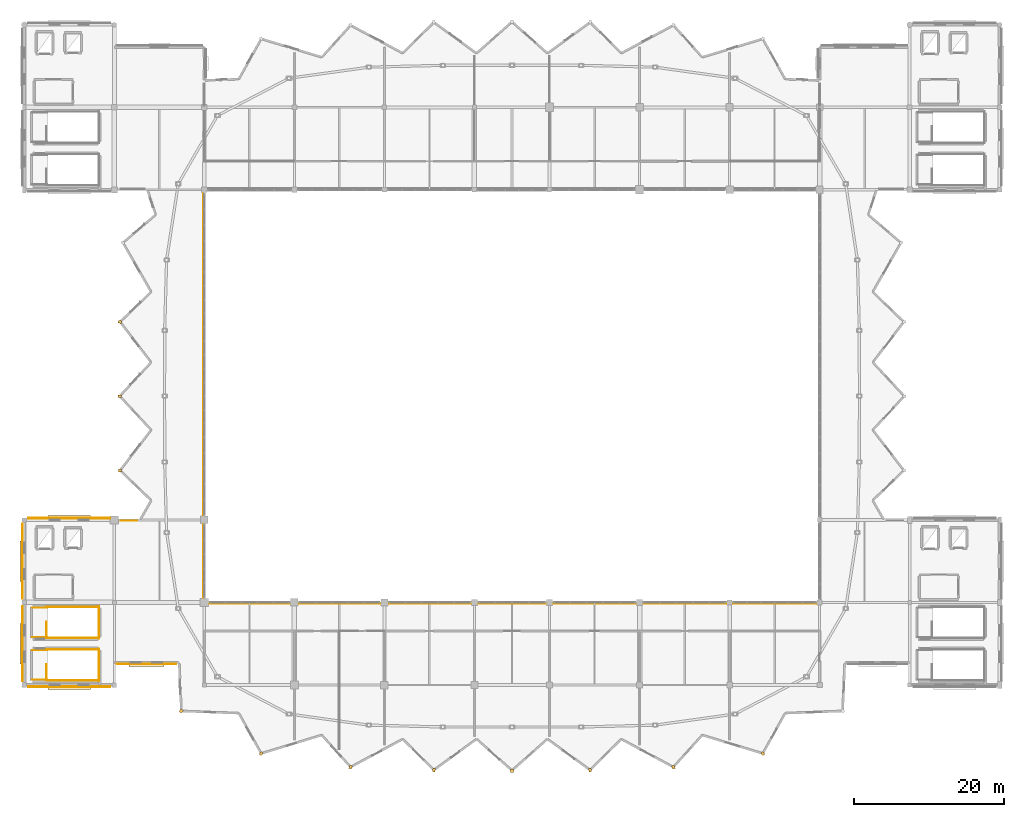
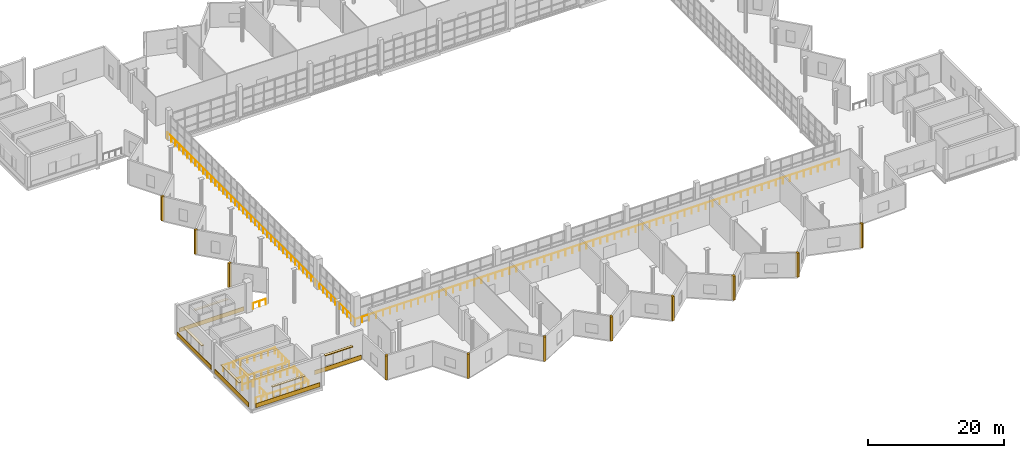
# One storey, part 46 of 49: 21 coverings, 15 railings.
"""IFC4 building model written with IfcOpenShell, lengths in metres."""

from ifc_helpers import new_model, si_unit, direction, frame, origin, origin_2d, place, context, subcontext, project, spatial, rectangle, circle, extrude, material, layer, layer_set, type_object, element, save


model = new_model("IFC4")

# Units and contexts
model_context = context("Model", 3, precision=1e-05, world=origin(), true_north=direction((0.0, 1.0)))
body_context = subcontext(model_context, "Body", "Model", "MODEL_VIEW")
ifc_project = project(units=[si_unit("LENGTHUNIT", "METRE"), si_unit("AREAUNIT", "SQUARE_METRE"), si_unit("VOLUMEUNIT", "CUBIC_METRE"), si_unit("PLANEANGLEUNIT", "RADIAN"), si_unit("MASSUNIT", "GRAM", prefix="KILO")], contexts=[model_context])

# Site, building, storey
site_placement = place(None, origin())
site = spatial("IfcSite", under=ifc_project, at=site_placement, CompositionType="ELEMENT")
building_placement = place(site_placement, origin())
building = spatial("IfcBuilding", under=site, at=building_placement, Name="Luwafu Chhajja Arena", CompositionType="ELEMENT")
storey_placement = place(building_placement, frame((0.0, 0.0, 24.300048828125)))
storey = spatial("IfcBuildingStorey", under=building, at=storey_placement, Name="L05", CompositionType="ELEMENT", Elevation=24.300048828125)

# Coverings
ifc_material_1 = material(Name="Red laterite sandstone cladding", Category="masonry")
ifc_layer = layer(ifc_material_1, 0.074951171875, Name="Red laterite sandstone cladding")
ifc_layer_set = layer_set([ifc_layer], Name="Red laterite sandstone cladding")
covering_type = type_object("IfcCoveringType", Name="Dressed Red-Laterite Sandstone Cladding", PredefinedType="CLADDING", material=ifc_layer_set)
for number, where, z_axis, x_axis, name in (
    (1, (46.750244140625, 59.396240234375, 0.0), (0.0, 0.0, 1.0), (-0.982532090849, 0.186093230539, 0.0), "L05 Pleated Bowl Sandstone Ridge Fin 16"),
    (2, (46.699951171875, 49.5, 0.0), (0.0, 0.0, 1.0), (-1.0, 0.0, 0.0), "L05 Pleated Bowl Sandstone Ridge Fin 17"),
    (3, (46.750244140625, 39.603759765625, 0.0), (0.0, 0.0, 1.0), (-0.982532090849, -0.186093230539, 0.0), "L05 Pleated Bowl Sandstone Ridge Fin 18"),
    (4, (54.91650390625, 7.52392578125, 0.0), (0.0, 0.0, 1.0), (-0.724206686844, -0.689582971607, 0.0), "L05 Pleated Bowl Sandstone Ridge Fin 21"),
    (5, (65.572509765625, 1.864013671875, 0.0), (0.0, 0.0, 1.0), (-0.574411104334, -0.818566969293, 0.0), "L05 Pleated Bowl Sandstone Ridge Fin 22"),
    (6, (77.489013671875, 0.051025390625, 0.0), (0.0, 0.0, 1.0), (-0.398902881432, -0.916993179465, 0.0), "L05 Pleated Bowl Sandstone Ridge Fin 23"),
    (7, (88.587890625, -0.3427734375, 0.0), (0.0, 0.0, 1.0), (-0.20448508974, -0.9788696788, 0.0), "L05 Pleated Bowl Sandstone Ridge Fin 24"),
    (8, (99.0, -0.39990234375, 0.0), (0.0, 0.0, 1.0), (0.0, -1.0, 0.0), "L05 Pleated Bowl Sandstone Ridge Fin 25"),
    (9, (109.412109375, -0.3427734375, 0.0), (0.0, 0.0, 1.0), (0.20448508974, -0.9788696788, 0.0), "L05 Pleated Bowl Sandstone Ridge Fin 26"),
    (10, (120.510986328125, 0.051025390625, 0.0), (0.0, 0.0, 1.0), (0.398902881432, -0.916993179465, 0.0), "L05 Pleated Bowl Sandstone Ridge Fin 27"),
    (11, (132.427490234375, 1.864013671875, 0.0), (0.0, 0.0, 1.0), (0.574411104334, -0.818566969293, 0.0), "L05 Pleated Bowl Sandstone Ridge Fin 28"),
):
    element("IfcCovering", number, at=place(storey_placement, frame(where, z_axis=z_axis, x_axis=x_axis)), inside=storey, type_object=covering_type, Name=name, PredefinedType="CLADDING", context=body_context, shape_type="SweptSolid", body=[
        extrude(rectangle(XDim=0.4599609375, YDim=0.360107421875, at=origin_2d()), origin(), (0.0, 0.0, 1.0), 4.340087890625),
    ])
covering_1_placement = place(storey_placement, frame((40.0, 10.76806640625, 0.0), z_axis=(0.0, 0.0, 1.0), x_axis=(1.0, 0.0, 0.0)))
element("IfcCovering", 12, at=covering_1_placement, inside=storey, type_object=covering_type, Name="L05 Red-Laterite Sandstone Plinth Cladding 126", PredefinedType="CLADDING", context=body_context, shape_type="SweptSolid", body=[
    extrude(rectangle(XDim=10.9599609375, YDim=0.0849609375, at=origin_2d()), origin(), (0.0, 0.0, 1.0), 0.760009765625),
])
covering_2_placement = place(storey_placement, frame((40.0, 10.639892578125, 2.93017578125), z_axis=(0.0, 0.0, 1.0), x_axis=(1.0, 0.0, 0.0)))
element("IfcCovering", 13, at=covering_2_placement, inside=storey, type_object=covering_type, Name="L05 Mughal Sandstone Window Chhajja Hood 0118", PredefinedType="CLADDING", context=body_context, shape_type="SweptSolid", body=[
    extrude(rectangle(XDim=5.703369140625, YDim=0.419921875, at=origin_2d()), origin(), (0.0, 0.0, 1.0), 0.139892578125),
])
covering_3_placement = place(storey_placement, frame((33.76806640625, 16.5, 0.0), z_axis=(0.0, 0.0, 1.0), x_axis=(0.0, 1.0, 0.0)))
element("IfcCovering", 14, at=covering_3_placement, inside=storey, type_object=covering_type, Name="L05 Red-Laterite Sandstone Plinth Cladding 127", PredefinedType="CLADDING", context=body_context, shape_type="SweptSolid", body=[
    extrude(rectangle(XDim=9.9599609375, YDim=0.0849609375, at=origin_2d()), origin(), (0.0, 0.0, 1.0), 0.760009765625),
])
covering_4_placement = place(storey_placement, frame((33.639892578125, 16.5, 2.93017578125), z_axis=(0.0, 0.0, 1.0), x_axis=(0.0, 1.0, 0.0)))
element("IfcCovering", 15, at=covering_4_placement, inside=storey, type_object=covering_type, Name="L05 Mughal Sandstone Window Chhajja Hood 0119", PredefinedType="CLADDING", context=body_context, shape_type="SweptSolid", body=[
    extrude(rectangle(XDim=5.3701171875, YDim=0.419921875, at=origin_2d()), origin(), (0.0, 0.0, 1.0), 0.139892578125),
])
covering_5_placement = place(storey_placement, frame((40.0, 33.23193359375, 0.0), z_axis=(0.0, 0.0, 1.0), x_axis=(1.0, 0.0, 0.0)))
element("IfcCovering", 16, at=covering_5_placement, inside=storey, type_object=covering_type, Name="L05 Red-Laterite Sandstone Plinth Cladding 128", PredefinedType="CLADDING", context=body_context, shape_type="SweptSolid", body=[
    extrude(rectangle(XDim=10.9599609375, YDim=0.0849609375, at=origin_2d()), origin(), (0.0, 0.0, 1.0), 0.760009765625),
])
covering_6_placement = place(storey_placement, frame((40.0, 33.360107421875, 2.93017578125), z_axis=(0.0, 0.0, 1.0), x_axis=(1.0, 0.0, 0.0)))
element("IfcCovering", 17, at=covering_6_placement, inside=storey, type_object=covering_type, Name="L05 Mughal Sandstone Window Chhajja Hood 0120", PredefinedType="CLADDING", context=body_context, shape_type="SweptSolid", body=[
    extrude(rectangle(XDim=5.703369140625, YDim=0.419921875, at=origin_2d()), origin(), (0.0, 0.0, 1.0), 0.139892578125),
])
covering_7_placement = place(storey_placement, frame((33.76806640625, 27.5, 0.0), z_axis=(0.0, 0.0, 1.0), x_axis=(0.0, 1.0, 0.0)))
element("IfcCovering", 18, at=covering_7_placement, inside=storey, type_object=covering_type, Name="L05 Red-Laterite Sandstone Plinth Cladding 129", PredefinedType="CLADDING", context=body_context, shape_type="SweptSolid", body=[
    extrude(rectangle(XDim=9.9599609375, YDim=0.0849609375, at=origin_2d()), origin(), (0.0, 0.0, 1.0), 0.760009765625),
])
covering_8_placement = place(storey_placement, frame((33.639892578125, 27.5, 2.93017578125), z_axis=(0.0, 0.0, 1.0), x_axis=(0.0, 1.0, 0.0)))
element("IfcCovering", 19, at=covering_8_placement, inside=storey, type_object=covering_type, Name="L05 Mughal Sandstone Window Chhajja Hood 0121", PredefinedType="CLADDING", context=body_context, shape_type="SweptSolid", body=[
    extrude(rectangle(XDim=5.3701171875, YDim=0.419921875, at=origin_2d()), origin(), (0.0, 0.0, 1.0), 0.139892578125),
])
covering_9_placement = place(storey_placement, frame((50.287109375, 13.80810546875, 0.0), z_axis=(0.0, 0.0, 1.0), x_axis=(1.0, 0.0, 0.0)))
element("IfcCovering", 20, at=covering_9_placement, inside=storey, type_object=covering_type, Name="L05 Red-Laterite Sandstone Plinth Cladding 134", PredefinedType="CLADDING", context=body_context, shape_type="SweptSolid", body=[
    extrude(rectangle(XDim=7.97412109375, YDim=0.0849609375, at=origin_2d()), origin(), (0.0, 0.0, 1.0), 0.760009765625),
])
covering_10_placement = place(storey_placement, frame((50.287109375, 13.679931640625, 2.93017578125), z_axis=(0.0, 0.0, 1.0), x_axis=(1.0, 0.0, 0.0)))
element("IfcCovering", 21, at=covering_10_placement, inside=storey, type_object=covering_type, Name="L05 Mughal Sandstone Window Chhajja Hood 0126", PredefinedType="CLADDING", context=body_context, shape_type="SweptSolid", body=[
    extrude(rectangle(XDim=4.7080078125, YDim=0.419921875, at=origin_2d()), origin(), (0.0, 0.0, 1.0), 0.139892578125),
])

# Railings
ifc_material_2 = material(Name="Stainless steel balustrade", Category="steel")
railing_type_1 = type_object("IfcRailingType", Name="Seating Bowl Sightline Barrier 1100", PredefinedType="BALUSTRADE", material=ifc_material_2)
railing_1_placement = place(storey_placement, frame((57.85009765625, 21.85009765625, 0.0)))
element("IfcRailing", 22, at=railing_1_placement, inside=storey, type_object=railing_type_1, Name="L05 Bowl Rim Guard 0044", PredefinedType="BALUSTRADE", context=body_context, shape_type="SweptSolid", body=[
    extrude(circle(Radius=0.02392578125, at=origin_2d()), frame((0.0, 0.0, 1.09619140625), z_axis=(1.0, 0.0, 0.0), x_axis=(0.0, 1.0, 0.0)), (0.0, 0.0, 1.0), 82.2998046875),
    extrude(circle(Radius=0.02099609375, at=origin_2d()), origin(), (0.0, 0.0, 1.0), 1.072021484375),
    extrude(circle(Radius=0.02099609375, at=origin_2d()), frame((1.19287109375, 0.0, 0.0)), (0.0, 0.0, 1.0), 1.072021484375),
    extrude(circle(Radius=0.02099609375, at=origin_2d()), frame((2.385498046875, 0.0, 0.0)), (0.0, 0.0, 1.0), 1.072021484375),
    extrude(circle(Radius=0.02099609375, at=origin_2d()), frame((3.578369140625, 0.0, 0.0)), (0.0, 0.0, 1.0), 1.072021484375),
    extrude(circle(Radius=0.02099609375, at=origin_2d()), frame((4.77099609375, 0.0, 0.0)), (0.0, 0.0, 1.0), 1.072021484375),
    extrude(circle(Radius=0.02099609375, at=origin_2d()), frame((5.9638671875, 0.0, 0.0)), (0.0, 0.0, 1.0), 1.072021484375),
    extrude(circle(Radius=0.02099609375, at=origin_2d()), frame((7.156494140625, 0.0, 0.0)), (0.0, 0.0, 1.0), 1.072021484375),
    extrude(circle(Radius=0.02099609375, at=origin_2d()), frame((8.349365234375, 0.0, 0.0)), (0.0, 0.0, 1.0), 1.072021484375),
    extrude(circle(Radius=0.02099609375, at=origin_2d()), frame((9.5419921875, 0.0, 0.0)), (0.0, 0.0, 1.0), 1.072021484375),
    extrude(circle(Radius=0.02099609375, at=origin_2d()), frame((10.73486328125, 0.0, 0.0)), (0.0, 0.0, 1.0), 1.072021484375),
    extrude(circle(Radius=0.02099609375, at=origin_2d()), frame((11.927490234375, 0.0, 0.0)), (0.0, 0.0, 1.0), 1.072021484375),
    extrude(circle(Radius=0.02099609375, at=origin_2d()), frame((13.120361328125, 0.0, 0.0)), (0.0, 0.0, 1.0), 1.072021484375),
    extrude(circle(Radius=0.02099609375, at=origin_2d()), frame((14.31298828125, 0.0, 0.0)), (0.0, 0.0, 1.0), 1.072021484375),
    extrude(circle(Radius=0.02099609375, at=origin_2d()), frame((15.505859375, 0.0, 0.0)), (0.0, 0.0, 1.0), 1.072021484375),
    extrude(circle(Radius=0.02099609375, at=origin_2d()), frame((16.698486328125, 0.0, 0.0)), (0.0, 0.0, 1.0), 1.072021484375),
    extrude(circle(Radius=0.02099609375, at=origin_2d()), frame((17.891357421875, 0.0, 0.0)), (0.0, 0.0, 1.0), 1.072021484375),
    extrude(circle(Radius=0.02099609375, at=origin_2d()), frame((19.083984375, 0.0, 0.0)), (0.0, 0.0, 1.0), 1.072021484375),
    extrude(circle(Radius=0.02099609375, at=origin_2d()), frame((20.27685546875, 0.0, 0.0)), (0.0, 0.0, 1.0), 1.072021484375),
    extrude(circle(Radius=0.02099609375, at=origin_2d()), frame((21.469482421875, 0.0, 0.0)), (0.0, 0.0, 1.0), 1.072021484375),
    extrude(circle(Radius=0.02099609375, at=origin_2d()), frame((22.662353515625, 0.0, 0.0)), (0.0, 0.0, 1.0), 1.072021484375),
    extrude(circle(Radius=0.02099609375, at=origin_2d()), frame((23.85498046875, 0.0, 0.0)), (0.0, 0.0, 1.0), 1.072021484375),
    extrude(circle(Radius=0.02099609375, at=origin_2d()), frame((25.0478515625, 0.0, 0.0)), (0.0, 0.0, 1.0), 1.072021484375),
    extrude(circle(Radius=0.02099609375, at=origin_2d()), frame((26.240478515625, 0.0, 0.0)), (0.0, 0.0, 1.0), 1.072021484375),
    extrude(circle(Radius=0.02099609375, at=origin_2d()), frame((27.433349609375, 0.0, 0.0)), (0.0, 0.0, 1.0), 1.072021484375),
    extrude(circle(Radius=0.02099609375, at=origin_2d()), frame((28.6259765625, 0.0, 0.0)), (0.0, 0.0, 1.0), 1.072021484375),
    extrude(circle(Radius=0.02099609375, at=origin_2d()), frame((29.81884765625, 0.0, 0.0)), (0.0, 0.0, 1.0), 1.072021484375),
    extrude(circle(Radius=0.02099609375, at=origin_2d()), frame((31.011474609375, 0.0, 0.0)), (0.0, 0.0, 1.0), 1.072021484375),
    extrude(circle(Radius=0.02099609375, at=origin_2d()), frame((32.204345703125, 0.0, 0.0)), (0.0, 0.0, 1.0), 1.072021484375),
    extrude(circle(Radius=0.02099609375, at=origin_2d()), frame((33.39697265625, 0.0, 0.0)), (0.0, 0.0, 1.0), 1.072021484375),
    extrude(circle(Radius=0.02099609375, at=origin_2d()), frame((34.58984375, 0.0, 0.0)), (0.0, 0.0, 1.0), 1.072021484375),
    extrude(circle(Radius=0.02099609375, at=origin_2d()), frame((35.782470703125, 0.0, 0.0)), (0.0, 0.0, 1.0), 1.072021484375),
    extrude(circle(Radius=0.02099609375, at=origin_2d()), frame((36.975341796875, 0.0, 0.0)), (0.0, 0.0, 1.0), 1.072021484375),
    extrude(circle(Radius=0.02099609375, at=origin_2d()), frame((38.16796875, 0.0, 0.0)), (0.0, 0.0, 1.0), 1.072021484375),
    extrude(circle(Radius=0.02099609375, at=origin_2d()), frame((39.36083984375, 0.0, 0.0)), (0.0, 0.0, 1.0), 1.072021484375),
    extrude(circle(Radius=0.02099609375, at=origin_2d()), frame((40.553466796875, 0.0, 0.0)), (0.0, 0.0, 1.0), 1.072021484375),
    extrude(circle(Radius=0.02099609375, at=origin_2d()), frame((41.746337890625, 0.0, 0.0)), (0.0, 0.0, 1.0), 1.072021484375),
    extrude(circle(Radius=0.02099609375, at=origin_2d()), frame((42.93896484375, 0.0, 0.0)), (0.0, 0.0, 1.0), 1.072021484375),
    extrude(circle(Radius=0.02099609375, at=origin_2d()), frame((44.1318359375, 0.0, 0.0)), (0.0, 0.0, 1.0), 1.072021484375),
    extrude(circle(Radius=0.02099609375, at=origin_2d()), frame((45.324462890625, 0.0, 0.0)), (0.0, 0.0, 1.0), 1.072021484375),
    extrude(circle(Radius=0.02099609375, at=origin_2d()), frame((46.517333984375, 0.0, 0.0)), (0.0, 0.0, 1.0), 1.072021484375),
    extrude(circle(Radius=0.02099609375, at=origin_2d()), frame((47.7099609375, 0.0, 0.0)), (0.0, 0.0, 1.0), 1.072021484375),
    extrude(circle(Radius=0.02099609375, at=origin_2d()), frame((48.90283203125, 0.0, 0.0)), (0.0, 0.0, 1.0), 1.072021484375),
    extrude(circle(Radius=0.02099609375, at=origin_2d()), frame((50.095458984375, 0.0, 0.0)), (0.0, 0.0, 1.0), 1.072021484375),
    extrude(circle(Radius=0.02099609375, at=origin_2d()), frame((51.288330078125, 0.0, 0.0)), (0.0, 0.0, 1.0), 1.072021484375),
    extrude(circle(Radius=0.02099609375, at=origin_2d()), frame((52.48095703125, 0.0, 0.0)), (0.0, 0.0, 1.0), 1.072021484375),
    extrude(circle(Radius=0.02099609375, at=origin_2d()), frame((53.673828125, 0.0, 0.0)), (0.0, 0.0, 1.0), 1.072021484375),
    extrude(circle(Radius=0.02099609375, at=origin_2d()), frame((54.866455078125, 0.0, 0.0)), (0.0, 0.0, 1.0), 1.072021484375),
    extrude(circle(Radius=0.02099609375, at=origin_2d()), frame((56.059326171875, 0.0, 0.0)), (0.0, 0.0, 1.0), 1.072021484375),
    extrude(circle(Radius=0.02099609375, at=origin_2d()), frame((57.251953125, 0.0, 0.0)), (0.0, 0.0, 1.0), 1.072021484375),
    extrude(circle(Radius=0.02099609375, at=origin_2d()), frame((58.44482421875, 0.0, 0.0)), (0.0, 0.0, 1.0), 1.072021484375),
    extrude(circle(Radius=0.02099609375, at=origin_2d()), frame((59.637451171875, 0.0, 0.0)), (0.0, 0.0, 1.0), 1.072021484375),
    extrude(circle(Radius=0.02099609375, at=origin_2d()), frame((60.830322265625, 0.0, 0.0)), (0.0, 0.0, 1.0), 1.072021484375),
    extrude(circle(Radius=0.02099609375, at=origin_2d()), frame((62.02294921875, 0.0, 0.0)), (0.0, 0.0, 1.0), 1.072021484375),
    extrude(circle(Radius=0.02099609375, at=origin_2d()), frame((63.2158203125, 0.0, 0.0)), (0.0, 0.0, 1.0), 1.072021484375),
    extrude(circle(Radius=0.02099609375, at=origin_2d()), frame((64.408447265625, 0.0, 0.0)), (0.0, 0.0, 1.0), 1.072021484375),
    extrude(circle(Radius=0.02099609375, at=origin_2d()), frame((65.601318359375, 0.0, 0.0)), (0.0, 0.0, 1.0), 1.072021484375),
    extrude(circle(Radius=0.02099609375, at=origin_2d()), frame((66.7939453125, 0.0, 0.0)), (0.0, 0.0, 1.0), 1.072021484375),
    extrude(circle(Radius=0.02099609375, at=origin_2d()), frame((67.98681640625, 0.0, 0.0)), (0.0, 0.0, 1.0), 1.072021484375),
    extrude(circle(Radius=0.02099609375, at=origin_2d()), frame((69.179443359375, 0.0, 0.0)), (0.0, 0.0, 1.0), 1.072021484375),
    extrude(circle(Radius=0.02099609375, at=origin_2d()), frame((70.372314453125, 0.0, 0.0)), (0.0, 0.0, 1.0), 1.072021484375),
    extrude(circle(Radius=0.02099609375, at=origin_2d()), frame((71.56494140625, 0.0, 0.0)), (0.0, 0.0, 1.0), 1.072021484375),
    extrude(circle(Radius=0.02099609375, at=origin_2d()), frame((72.7578125, 0.0, 0.0)), (0.0, 0.0, 1.0), 1.072021484375),
    extrude(circle(Radius=0.02099609375, at=origin_2d()), frame((73.950439453125, 0.0, 0.0)), (0.0, 0.0, 1.0), 1.072021484375),
    extrude(circle(Radius=0.02099609375, at=origin_2d()), frame((75.143310546875, 0.0, 0.0)), (0.0, 0.0, 1.0), 1.072021484375),
    extrude(circle(Radius=0.02099609375, at=origin_2d()), frame((76.3359375, 0.0, 0.0)), (0.0, 0.0, 1.0), 1.072021484375),
    extrude(circle(Radius=0.02099609375, at=origin_2d()), frame((77.52880859375, 0.0, 0.0)), (0.0, 0.0, 1.0), 1.072021484375),
    extrude(circle(Radius=0.02099609375, at=origin_2d()), frame((78.721435546875, 0.0, 0.0)), (0.0, 0.0, 1.0), 1.072021484375),
    extrude(circle(Radius=0.02099609375, at=origin_2d()), frame((79.914306640625, 0.0, 0.0)), (0.0, 0.0, 1.0), 1.072021484375),
    extrude(circle(Radius=0.02099609375, at=origin_2d()), frame((81.10693359375, 0.0, 0.0)), (0.0, 0.0, 1.0), 1.072021484375),
    extrude(circle(Radius=0.02099609375, at=origin_2d()), frame((82.2998046875, 0.0, 0.0)), (0.0, 0.0, 1.0), 1.072021484375),
])
railing_2_placement = place(storey_placement, frame((57.85009765625, 77.14990234375, 0.0)))
element("IfcRailing", 23, at=railing_2_placement, inside=storey, type_object=railing_type_1, Name="L05 Bowl Rim Guard 0047", PredefinedType="BALUSTRADE", context=body_context, shape_type="SweptSolid", body=[
    extrude(circle(Radius=0.02392578125, at=origin_2d()), frame((0.0, 0.0, 1.09619140625), z_axis=(0.0, -1.0, 0.0), x_axis=(1.0, 0.0, 0.0)), (0.0, 0.0, 1.0), 55.2998046875),
    extrude(circle(Radius=0.02099609375, at=origin_2d()), origin(), (0.0, 0.0, 1.0), 1.072021484375),
    extrude(circle(Radius=0.02099609375, at=origin_2d()), frame((0.0, -1.176513671875, 0.0)), (0.0, 0.0, 1.0), 1.072021484375),
    extrude(circle(Radius=0.02099609375, at=origin_2d()), frame((0.0, -2.353271484375, 0.0)), (0.0, 0.0, 1.0), 1.072021484375),
    extrude(circle(Radius=0.02099609375, at=origin_2d()), frame((0.0, -3.52978515625, 0.0)), (0.0, 0.0, 1.0), 1.072021484375),
    extrude(circle(Radius=0.02099609375, at=origin_2d()), frame((0.0, -4.706298828125, 0.0)), (0.0, 0.0, 1.0), 1.072021484375),
    extrude(circle(Radius=0.02099609375, at=origin_2d()), frame((0.0, -5.883056640625, 0.0)), (0.0, 0.0, 1.0), 1.072021484375),
    extrude(circle(Radius=0.02099609375, at=origin_2d()), frame((0.0, -7.0595703125, 0.0)), (0.0, 0.0, 1.0), 1.072021484375),
    extrude(circle(Radius=0.02099609375, at=origin_2d()), frame((0.0, -8.236083984375, 0.0)), (0.0, 0.0, 1.0), 1.072021484375),
    extrude(circle(Radius=0.02099609375, at=origin_2d()), frame((0.0, -9.412841796875, 0.0)), (0.0, 0.0, 1.0), 1.072021484375),
    extrude(circle(Radius=0.02099609375, at=origin_2d()), frame((0.0, -10.58935546875, 0.0)), (0.0, 0.0, 1.0), 1.072021484375),
    extrude(circle(Radius=0.02099609375, at=origin_2d()), frame((0.0, -11.765869140625, 0.0)), (0.0, 0.0, 1.0), 1.072021484375),
    extrude(circle(Radius=0.02099609375, at=origin_2d()), frame((0.0, -12.942626953125, 0.0)), (0.0, 0.0, 1.0), 1.072021484375),
    extrude(circle(Radius=0.02099609375, at=origin_2d()), frame((0.0, -14.119140625, 0.0)), (0.0, 0.0, 1.0), 1.072021484375),
    extrude(circle(Radius=0.02099609375, at=origin_2d()), frame((0.0, -15.295654296875, 0.0)), (0.0, 0.0, 1.0), 1.072021484375),
    extrude(circle(Radius=0.02099609375, at=origin_2d()), frame((0.0, -16.47216796875, 0.0)), (0.0, 0.0, 1.0), 1.072021484375),
    extrude(circle(Radius=0.02099609375, at=origin_2d()), frame((0.0, -17.64892578125, 0.0)), (0.0, 0.0, 1.0), 1.072021484375),
    extrude(circle(Radius=0.02099609375, at=origin_2d()), frame((0.0, -18.825439453125, 0.0)), (0.0, 0.0, 1.0), 1.072021484375),
    extrude(circle(Radius=0.02099609375, at=origin_2d()), frame((0.0, -20.001953125, 0.0)), (0.0, 0.0, 1.0), 1.072021484375),
    extrude(circle(Radius=0.02099609375, at=origin_2d()), frame((0.0, -21.1787109375, 0.0)), (0.0, 0.0, 1.0), 1.072021484375),
    extrude(circle(Radius=0.02099609375, at=origin_2d()), frame((0.0, -22.355224609375, 0.0)), (0.0, 0.0, 1.0), 1.072021484375),
    extrude(circle(Radius=0.02099609375, at=origin_2d()), frame((0.0, -23.53173828125, 0.0)), (0.0, 0.0, 1.0), 1.072021484375),
    extrude(circle(Radius=0.02099609375, at=origin_2d()), frame((0.0, -24.70849609375, 0.0)), (0.0, 0.0, 1.0), 1.072021484375),
    extrude(circle(Radius=0.02099609375, at=origin_2d()), frame((0.0, -25.885009765625, 0.0)), (0.0, 0.0, 1.0), 1.072021484375),
    extrude(circle(Radius=0.02099609375, at=origin_2d()), frame((0.0, -27.0615234375, 0.0)), (0.0, 0.0, 1.0), 1.072021484375),
    extrude(circle(Radius=0.02099609375, at=origin_2d()), frame((0.0, -28.23828125, 0.0)), (0.0, 0.0, 1.0), 1.072021484375),
    extrude(circle(Radius=0.02099609375, at=origin_2d()), frame((0.0, -29.414794921875, 0.0)), (0.0, 0.0, 1.0), 1.072021484375),
    extrude(circle(Radius=0.02099609375, at=origin_2d()), frame((0.0, -30.59130859375, 0.0)), (0.0, 0.0, 1.0), 1.072021484375),
    extrude(circle(Radius=0.02099609375, at=origin_2d()), frame((0.0, -31.76806640625, 0.0)), (0.0, 0.0, 1.0), 1.072021484375),
    extrude(circle(Radius=0.02099609375, at=origin_2d()), frame((0.0, -32.944580078125, 0.0)), (0.0, 0.0, 1.0), 1.072021484375),
    extrude(circle(Radius=0.02099609375, at=origin_2d()), frame((0.0, -34.12109375, 0.0)), (0.0, 0.0, 1.0), 1.072021484375),
    extrude(circle(Radius=0.02099609375, at=origin_2d()), frame((0.0, -35.2978515625, 0.0)), (0.0, 0.0, 1.0), 1.072021484375),
    extrude(circle(Radius=0.02099609375, at=origin_2d()), frame((0.0, -36.474365234375, 0.0)), (0.0, 0.0, 1.0), 1.072021484375),
    extrude(circle(Radius=0.02099609375, at=origin_2d()), frame((0.0, -37.65087890625, 0.0)), (0.0, 0.0, 1.0), 1.072021484375),
    extrude(circle(Radius=0.02099609375, at=origin_2d()), frame((0.0, -38.82763671875, 0.0)), (0.0, 0.0, 1.0), 1.072021484375),
    extrude(circle(Radius=0.02099609375, at=origin_2d()), frame((0.0, -40.004150390625, 0.0)), (0.0, 0.0, 1.0), 1.072021484375),
    extrude(circle(Radius=0.02099609375, at=origin_2d()), frame((0.0, -41.1806640625, 0.0)), (0.0, 0.0, 1.0), 1.072021484375),
    extrude(circle(Radius=0.02099609375, at=origin_2d()), frame((0.0, -42.357177734375, 0.0)), (0.0, 0.0, 1.0), 1.072021484375),
    extrude(circle(Radius=0.02099609375, at=origin_2d()), frame((0.0, -43.533935546875, 0.0)), (0.0, 0.0, 1.0), 1.072021484375),
    extrude(circle(Radius=0.02099609375, at=origin_2d()), frame((0.0, -44.71044921875, 0.0)), (0.0, 0.0, 1.0), 1.072021484375),
    extrude(circle(Radius=0.02099609375, at=origin_2d()), frame((0.0, -45.886962890625, 0.0)), (0.0, 0.0, 1.0), 1.072021484375),
    extrude(circle(Radius=0.02099609375, at=origin_2d()), frame((0.0, -47.063720703125, 0.0)), (0.0, 0.0, 1.0), 1.072021484375),
    extrude(circle(Radius=0.02099609375, at=origin_2d()), frame((0.0, -48.240234375, 0.0)), (0.0, 0.0, 1.0), 1.072021484375),
    extrude(circle(Radius=0.02099609375, at=origin_2d()), frame((0.0, -49.416748046875, 0.0)), (0.0, 0.0, 1.0), 1.072021484375),
    extrude(circle(Radius=0.02099609375, at=origin_2d()), frame((0.0, -50.593505859375, 0.0)), (0.0, 0.0, 1.0), 1.072021484375),
    extrude(circle(Radius=0.02099609375, at=origin_2d()), frame((0.0, -51.77001953125, 0.0)), (0.0, 0.0, 1.0), 1.072021484375),
    extrude(circle(Radius=0.02099609375, at=origin_2d()), frame((0.0, -52.946533203125, 0.0)), (0.0, 0.0, 1.0), 1.072021484375),
    extrude(circle(Radius=0.02099609375, at=origin_2d()), frame((0.0, -54.123291015625, 0.0)), (0.0, 0.0, 1.0), 1.072021484375),
    extrude(circle(Radius=0.02099609375, at=origin_2d()), frame((0.0, -55.2998046875, 0.0)), (0.0, 0.0, 1.0), 1.072021484375),
])
railing_type_2 = type_object("IfcRailingType", Name="Stair and Terrace Guard Balustrade 1100", PredefinedType="BALUSTRADE", material=ifc_material_2)
railing_3_placement = place(storey_placement, frame((36.969970703125, 11.64990234375, 0.0)))
element("IfcRailing", 24, at=railing_3_placement, inside=storey, type_object=railing_type_2, Name="L05 ST-01 top well guard 1", PredefinedType="BALUSTRADE", context=body_context, shape_type="SweptSolid", body=[
    extrude(circle(Radius=0.02392578125, at=origin_2d()), frame((0.0, 0.0, 1.076171875), z_axis=(0.0, 1.0, 0.0), x_axis=(-1.0, 0.0, 0.0)), (0.0, 0.0, 1.0), 2.1201171875),
    extrude(circle(Radius=0.02099609375, at=origin_2d()), origin(), (0.0, 0.0, 1.0), 1.052001953125),
    extrude(circle(Radius=0.02099609375, at=origin_2d()), frame((0.0, 1.06005859375, 0.0)), (0.0, 0.0, 1.0), 1.052001953125),
    extrude(circle(Radius=0.02099609375, at=origin_2d()), frame((0.0, 2.1201171875, 0.0)), (0.0, 0.0, 1.0), 1.052001953125),
])
for number, where, name in (
    (25, (36.919921875, 11.60009765625, 0.0), "L05 ST-01 top well guard 2"),
    (26, (36.919921875, 15.739990234375, 0.0), "L05 ST-01 top well guard 3"),
):
    element("IfcRailing", number, at=place(storey_placement, frame(where)), inside=storey, type_object=railing_type_2, Name=name, PredefinedType="BALUSTRADE", context=body_context, shape_type="SweptSolid", body=[
        extrude(circle(Radius=0.02392578125, at=origin_2d()), frame((0.0, 0.0, 1.076171875), z_axis=(1.0, 0.0, 0.0), x_axis=(0.0, 1.0, 0.0)), (0.0, 0.0, 1.0), 7.080078125),
        extrude(circle(Radius=0.02099609375, at=origin_2d()), origin(), (0.0, 0.0, 1.0), 1.052001953125),
        extrude(circle(Radius=0.02099609375, at=origin_2d()), frame((1.179931640625, 0.0, 0.0)), (0.0, 0.0, 1.0), 1.052001953125),
        extrude(circle(Radius=0.02099609375, at=origin_2d()), frame((2.360107421875, 0.0, 0.0)), (0.0, 0.0, 1.0), 1.052001953125),
        extrude(circle(Radius=0.02099609375, at=origin_2d()), frame((3.5400390625, 0.0, 0.0)), (0.0, 0.0, 1.0), 1.052001953125),
        extrude(circle(Radius=0.02099609375, at=origin_2d()), frame((4.719970703125, 0.0, 0.0)), (0.0, 0.0, 1.0), 1.052001953125),
        extrude(circle(Radius=0.02099609375, at=origin_2d()), frame((5.900146484375, 0.0, 0.0)), (0.0, 0.0, 1.0), 1.052001953125),
        extrude(circle(Radius=0.02099609375, at=origin_2d()), frame((7.080078125, 0.0, 0.0)), (0.0, 0.0, 1.0), 1.052001953125),
    ])
railing_4_placement = place(storey_placement, frame((43.949951171875, 11.550048828125, 0.0)))
element("IfcRailing", 27, at=railing_4_placement, inside=storey, type_object=railing_type_2, Name="L05 ST-01 top well guard 4", PredefinedType="BALUSTRADE", context=body_context, shape_type="SweptSolid", body=[
    extrude(circle(Radius=0.02392578125, at=origin_2d()), frame((0.0, 0.0, 1.076171875), z_axis=(0.0, 1.0, 0.0), x_axis=(-1.0, 0.0, 0.0)), (0.0, 0.0, 1.0), 4.239990234375),
    extrude(circle(Radius=0.02099609375, at=origin_2d()), origin(), (0.0, 0.0, 1.0), 1.052001953125),
    extrude(circle(Radius=0.02099609375, at=origin_2d()), frame((0.0, 1.06005859375, 0.0)), (0.0, 0.0, 1.0), 1.052001953125),
    extrude(circle(Radius=0.02099609375, at=origin_2d()), frame((0.0, 2.1201171875, 0.0)), (0.0, 0.0, 1.0), 1.052001953125),
    extrude(circle(Radius=0.02099609375, at=origin_2d()), frame((0.0, 3.179931640625, 0.0)), (0.0, 0.0, 1.0), 1.052001953125),
    extrude(circle(Radius=0.02099609375, at=origin_2d()), frame((0.0, 4.239990234375, 0.0)), (0.0, 0.0, 1.0), 1.052001953125),
])
for number, where, name in (
    (28, (35.10009765625, 11.699951171875, 0.0), "L05 ST-01 top well guard 5"),
    (29, (35.10009765625, 15.639892578125, 0.0), "L05 ST-01 top well guard 6"),
):
    element("IfcRailing", number, at=place(storey_placement, frame(where)), inside=storey, type_object=railing_type_2, Name=name, PredefinedType="BALUSTRADE", context=body_context, shape_type="SweptSolid", body=[
        extrude(circle(Radius=0.02392578125, at=origin_2d()), frame((0.0, 0.0, 1.076171875), z_axis=(1.0, 0.0, 0.0), x_axis=(0.0, 1.0, 0.0)), (0.0, 0.0, 1.0), 1.919921875),
        extrude(circle(Radius=0.02099609375, at=origin_2d()), origin(), (0.0, 0.0, 1.0), 1.052001953125),
        extrude(circle(Radius=0.02099609375, at=origin_2d()), frame((0.9599609375, 0.0, 0.0)), (0.0, 0.0, 1.0), 1.052001953125),
        extrude(circle(Radius=0.02099609375, at=origin_2d()), frame((1.919921875, 0.0, 0.0)), (0.0, 0.0, 1.0), 1.052001953125),
    ])
railing_5_placement = place(storey_placement, frame((36.969970703125, 17.31005859375, 0.0)))
element("IfcRailing", 30, at=railing_5_placement, inside=storey, type_object=railing_type_2, Name="L05 ST-02 top well guard 1", PredefinedType="BALUSTRADE", context=body_context, shape_type="SweptSolid", body=[
    extrude(circle(Radius=0.02392578125, at=origin_2d()), frame((0.0, 0.0, 1.076171875), z_axis=(0.0, 1.0, 0.0), x_axis=(-1.0, 0.0, 0.0)), (0.0, 0.0, 1.0), 2.119873046875),
    extrude(circle(Radius=0.02099609375, at=origin_2d()), origin(), (0.0, 0.0, 1.0), 1.052001953125),
    extrude(circle(Radius=0.02099609375, at=origin_2d()), frame((0.0, 1.06005859375, 0.0)), (0.0, 0.0, 1.0), 1.052001953125),
    extrude(circle(Radius=0.02099609375, at=origin_2d()), frame((0.0, 2.119873046875, 0.0)), (0.0, 0.0, 1.0), 1.052001953125),
])
for number, where, name in (
    (31, (36.919921875, 17.260009765625, 0.0), "L05 ST-02 top well guard 2"),
    (32, (36.919921875, 21.39990234375, 0.0), "L05 ST-02 top well guard 3"),
):
    element("IfcRailing", number, at=place(storey_placement, frame(where)), inside=storey, type_object=railing_type_2, Name=name, PredefinedType="BALUSTRADE", context=body_context, shape_type="SweptSolid", body=[
        extrude(circle(Radius=0.02392578125, at=origin_2d()), frame((0.0, 0.0, 1.076171875), z_axis=(1.0, 0.0, 0.0), x_axis=(0.0, 1.0, 0.0)), (0.0, 0.0, 1.0), 7.080078125),
        extrude(circle(Radius=0.02099609375, at=origin_2d()), origin(), (0.0, 0.0, 1.0), 1.052001953125),
        extrude(circle(Radius=0.02099609375, at=origin_2d()), frame((1.179931640625, 0.0, 0.0)), (0.0, 0.0, 1.0), 1.052001953125),
        extrude(circle(Radius=0.02099609375, at=origin_2d()), frame((2.360107421875, 0.0, 0.0)), (0.0, 0.0, 1.0), 1.052001953125),
        extrude(circle(Radius=0.02099609375, at=origin_2d()), frame((3.5400390625, 0.0, 0.0)), (0.0, 0.0, 1.0), 1.052001953125),
        extrude(circle(Radius=0.02099609375, at=origin_2d()), frame((4.719970703125, 0.0, 0.0)), (0.0, 0.0, 1.0), 1.052001953125),
        extrude(circle(Radius=0.02099609375, at=origin_2d()), frame((5.900146484375, 0.0, 0.0)), (0.0, 0.0, 1.0), 1.052001953125),
        extrude(circle(Radius=0.02099609375, at=origin_2d()), frame((7.080078125, 0.0, 0.0)), (0.0, 0.0, 1.0), 1.052001953125),
    ])
railing_6_placement = place(storey_placement, frame((43.949951171875, 17.2099609375, 0.0)))
element("IfcRailing", 33, at=railing_6_placement, inside=storey, type_object=railing_type_2, Name="L05 ST-02 top well guard 4", PredefinedType="BALUSTRADE", context=body_context, shape_type="SweptSolid", body=[
    extrude(circle(Radius=0.02392578125, at=origin_2d()), frame((0.0, 0.0, 1.076171875), z_axis=(0.0, 1.0, 0.0), x_axis=(-1.0, 0.0, 0.0)), (0.0, 0.0, 1.0), 4.239990234375),
    extrude(circle(Radius=0.02099609375, at=origin_2d()), origin(), (0.0, 0.0, 1.0), 1.052001953125),
    extrude(circle(Radius=0.02099609375, at=origin_2d()), frame((0.0, 1.06005859375, 0.0)), (0.0, 0.0, 1.0), 1.052001953125),
    extrude(circle(Radius=0.02099609375, at=origin_2d()), frame((0.0, 2.1201171875, 0.0)), (0.0, 0.0, 1.0), 1.052001953125),
    extrude(circle(Radius=0.02099609375, at=origin_2d()), frame((0.0, 3.179931640625, 0.0)), (0.0, 0.0, 1.0), 1.052001953125),
    extrude(circle(Radius=0.02099609375, at=origin_2d()), frame((0.0, 4.239990234375, 0.0)), (0.0, 0.0, 1.0), 1.052001953125),
])
for number, where, name in (
    (34, (35.10009765625, 17.360107421875, 0.0), "L05 ST-02 top well guard 5"),
    (35, (35.10009765625, 21.300048828125, 0.0), "L05 ST-02 top well guard 6"),
):
    element("IfcRailing", number, at=place(storey_placement, frame(where)), inside=storey, type_object=railing_type_2, Name=name, PredefinedType="BALUSTRADE", context=body_context, shape_type="SweptSolid", body=[
        extrude(circle(Radius=0.02392578125, at=origin_2d()), frame((0.0, 0.0, 1.076171875), z_axis=(1.0, 0.0, 0.0), x_axis=(0.0, 1.0, 0.0)), (0.0, 0.0, 1.0), 1.919921875),
        extrude(circle(Radius=0.02099609375, at=origin_2d()), origin(), (0.0, 0.0, 1.0), 1.052001953125),
        extrude(circle(Radius=0.02099609375, at=origin_2d()), frame((0.9599609375, 0.0, 0.0)), (0.0, 0.0, 1.0), 1.052001953125),
        extrude(circle(Radius=0.02099609375, at=origin_2d()), frame((1.919921875, 0.0, 0.0)), (0.0, 0.0, 1.0), 1.052001953125),
    ])
railing_7_placement = place(storey_placement, frame((46.85009765625, 32.89990234375, 0.0)))
element("IfcRailing", 36, at=railing_7_placement, inside=storey, type_object=railing_type_2, Name="L05 Outer Slab Edge Guard 003", PredefinedType="BALUSTRADE", context=body_context, shape_type="SweptSolid", body=[
    extrude(circle(Radius=0.02392578125, at=origin_2d()), frame((0.0, 0.0, 1.09619140625), z_axis=(1.0, 0.0, 0.0), x_axis=(0.0, 1.0, 0.0)), (0.0, 0.0, 1.0), 2.18798828125),
    extrude(circle(Radius=0.02099609375, at=origin_2d()), origin(), (0.0, 0.0, 1.0), 1.072021484375),
    extrude(circle(Radius=0.02099609375, at=origin_2d()), frame((1.093994140625, 0.0, 0.0)), (0.0, 0.0, 1.0), 1.072021484375),
    extrude(circle(Radius=0.02099609375, at=origin_2d()), frame((2.18798828125, 0.0, 0.0)), (0.0, 0.0, 1.0), 1.072021484375),
])

save(model, "model.ifc")
